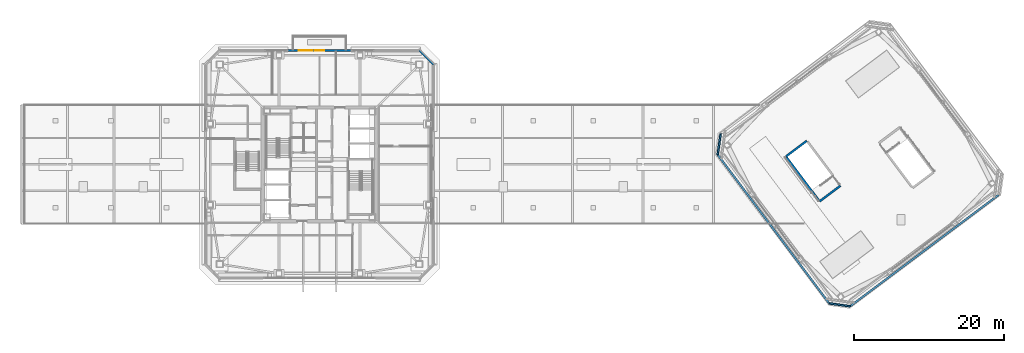
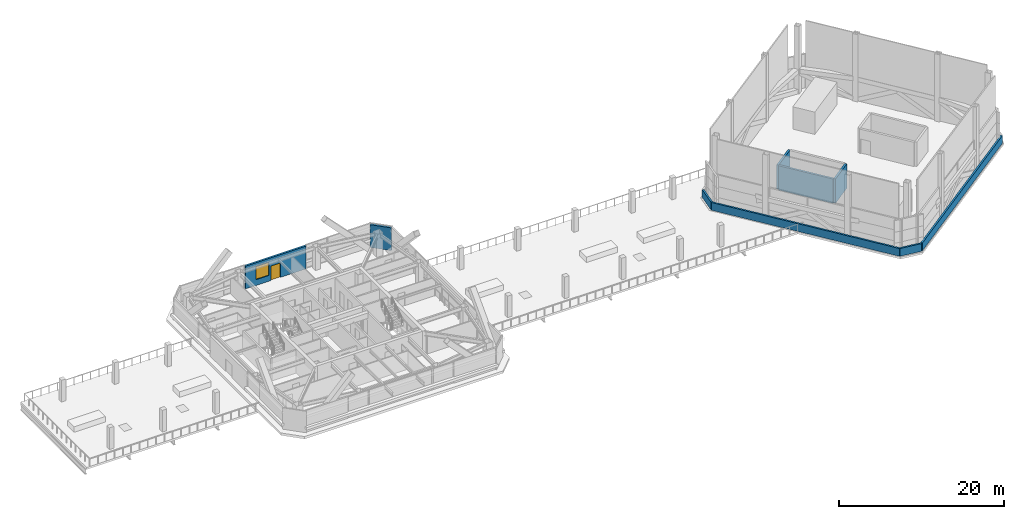
# One storey, part 29 of 37: 9 walls, 1 door, 1 window, 2 openings.
"""IFC4 building model written with IfcOpenShell, lengths in metres."""

from ifc_helpers import new_model, si_unit, direction, frame, frame_2d, origin, place, context, subcontext, project, spatial, rectangle, extrude, material, layer, layer_set, type_object, element, fill, save


model = new_model("IFC4")

# Units and contexts
model_context = context("Model", 3, precision=1e-05, world=origin(), true_north=direction((0.0, 1.0)))
body_context = subcontext(model_context, "Body", "Model", "MODEL_VIEW")
ifc_project = project(units=[si_unit("LENGTHUNIT", "METRE"), si_unit("AREAUNIT", "SQUARE_METRE"), si_unit("VOLUMEUNIT", "CUBIC_METRE"), si_unit("PLANEANGLEUNIT", "RADIAN"), si_unit("MASSUNIT", "GRAM", prefix="KILO")], contexts=[model_context])

# Site, building, storey
site_placement = place(None, origin())
site = spatial("IfcSite", under=ifc_project, at=site_placement, CompositionType="ELEMENT")
building_placement = place(site_placement, origin())
building = spatial("IfcBuilding", under=site, at=building_placement, Name="Tashvorn Skyway Center", CompositionType="ELEMENT")
storey_placement = place(building_placement, frame((0.0, 0.0, 263.39990234375)))
storey = spatial("IfcBuildingStorey", under=building, at=storey_placement, Name="L71", CompositionType="ELEMENT", Elevation=263.39990234375)

# Wall, openings, door, window
ifc_material_1 = material(Name="Precast concrete C40/50", Category="concrete")
ifc_layer_1 = layer(ifc_material_1, 0.280029296875)
ifc_layer_set_1 = layer_set([ifc_layer_1], Name="Precast concrete C40/50")
wall_type_1 = type_object("IfcWallType", Name="WALL-EXT-280", PredefinedType="SOLIDWALL", material=ifc_layer_set_1)
wall_1_placement = place(storey_placement, frame((37.75, 47.179931640625, 0.0), z_axis=(0.0, 0.0, 1.0), x_axis=(1.0, 0.0, 0.0)))
wall_1 = element("IfcWall", 1, at=wall_1_placement, inside=storey, type_object=wall_type_1, Name="Tower 1 L71 North Terrace Portal Wall", PredefinedType="SOLIDWALL", context=body_context, shape_type="SweptSolid", body=[
    extrude(rectangle(XDim=8.5, YDim=0.280029296875, at=frame_2d((4.25, 0.0))), origin(), (0.0, 0.0, 1.0), 3.3701171875),
])
opening_1_placement = place(wall_1_placement, frame((3.60009765625, 0.0, 0.0)))
opening_1 = element("IfcOpeningElement", 2, at=opening_1_placement, cuts=wall_1, Name="Opening D-TER-1300", PredefinedType="OPENING", context=body_context, shape_type="SweptSolid", body=[
    extrude(rectangle(XDim=1.300048828125, YDim=2.14990234375, at=frame_2d((0.64990234375, 1.074951171875))), frame((0.0, 0.14990234375, 0.0), z_axis=(0.0, -1.0, 0.0), x_axis=(1.0, 0.0, 0.0)), (0.0, 0.0, 1.0), 0.300048828125),
])
opening_2_placement = place(wall_1_placement, frame((1.4599609375, 0.0, 0.85009765625)))
opening_2 = element("IfcOpeningElement", 3, at=opening_2_placement, cuts=wall_1, Name="Opening WIN-1800", PredefinedType="OPENING", context=body_context, shape_type="SweptSolid", body=[
    extrude(rectangle(XDim=1.800048828125, YDim=1.919921875, at=frame_2d((0.89990234375, 0.9599609375))), frame((0.0, 0.14990234375, 0.0), z_axis=(0.0, -1.0, 0.0), x_axis=(1.0, 0.0, 0.0)), (0.0, 0.0, 1.0), 0.300048828125),
])
ifc_material_2 = material(Name="Thermally broken bronze-anodized aluminium 6063-T6", Category="aluminium")
door_type = type_object("IfcDoorType", Name="DOOR-TERR-1300", OperationType="NOTDEFINED", PredefinedType="DOOR", material=ifc_material_2)
door_placement = place(opening_1_placement, origin())
door = element("IfcDoor", 4, at=door_placement, inside=storey, type_object=door_type, Name="Tower 1 L71 Terrace Access Door", OperationType="SINGLE_SWING_LEFT", OverallHeight=2.14990234375, OverallWidth=1.300048828125, PredefinedType="DOOR", context=body_context, shape_type="SweptSolid", body=[
    extrude(rectangle(XDim=1.300048828125, YDim=2.14990234375, at=frame_2d((0.64990234375, 1.074951171875))), frame((0.0, 0.02490234375, 0.0), z_axis=(0.0, -1.0, 0.0), x_axis=(1.0, 0.0, 0.0)), (0.0, 0.0, 1.0), 0.050048828125),
])
fill(opening_1, door)
ifc_material_3 = material(Name="Low-E solar-control double insulating safety glass", Category="glass")
window_type = type_object("IfcWindowType", Name="WIN-TERR-1800", PartitioningType="SINGLE_PANEL", PredefinedType="WINDOW", material=ifc_material_3)
window_placement = place(opening_2_placement, origin())
window = element("IfcWindow", 5, at=window_placement, inside=storey, type_object=window_type, Name="Tower 1 L71 Terrace Window", OverallHeight=1.919921875, OverallWidth=1.800048828125, PartitioningType="SINGLE_PANEL", PredefinedType="WINDOW", context=body_context, shape_type="SweptSolid", body=[
    extrude(rectangle(XDim=1.800048828125, YDim=1.919921875, at=frame_2d((0.89990234375, 0.9599609375))), frame((0.0, 0.030029296875, 0.0), z_axis=(0.0, -1.0, 0.0), x_axis=(1.0, 0.0, 0.0)), (0.0, 0.0, 1.0), 0.06005859375),
])
fill(opening_2, window)

# Walls
wall_2_placement = place(storey_placement, frame((55.300048828125, 47.199951171875, 0.0), z_axis=(0.0, 0.0, 1.0), x_axis=(0.707106781187, -0.707106781187, 0.0)))
element("IfcWall", 6, at=wall_2_placement, inside=storey, type_object=wall_type_1, Name="Tower 1 L71 NE Precast Chamfer Wall", PredefinedType="SOLIDWALL", context=body_context, shape_type="SweptSolid", body=[
    extrude(rectangle(XDim=2.686767578125, YDim=0.280029296875, at=frame_2d((1.34326171875, 0.0))), origin(), (0.0, 0.0, 1.0), 3.3701171875),
])
ifc_layer_2 = layer(ifc_material_1, 0.239990234375)
ifc_layer_set_2 = layer_set([ifc_layer_2], Name="Precast concrete C40/50")
wall_type_2 = type_object("IfcWallType", Name="WALL-PARA-240", PredefinedType="PARAPET", material=ifc_layer_set_2)
wall_3_placement = place(storey_placement, frame((132.531982421875, 27.924072265625, 0.0), z_axis=(0.0, 0.0, 1.0), x_axis=(-0.799998816758, -0.600001577653, 0.0)))
element("IfcWall", 7, at=wall_3_placement, inside=storey, type_object=wall_type_2, Name="Tower 2 Main Roof Perimeter Parapet 01", PredefinedType="PARAPET", context=body_context, shape_type="SweptSolid", body=[
    extrude(rectangle(XDim=24.759765625, YDim=0.239990234375, at=frame_2d((12.3798828125, 0.0))), origin(), (0.0, 0.0, 1.0), 1.150146484375),
])
wall_4_placement = place(storey_placement, frame((95.068115234375, 33.27587890625, 0.0), z_axis=(0.0, 0.0, 1.0), x_axis=(0.141385103552, 0.989954671939, 0.0)))
element("IfcWall", 8, at=wall_4_placement, inside=storey, type_object=wall_type_2, Name="Tower 2 Main Roof Perimeter Parapet 06", PredefinedType="PARAPET", context=body_context, shape_type="SweptSolid", body=[
    extrude(rectangle(XDim=2.828369140625, YDim=0.239990234375, at=frame_2d((1.4140625, 0.0))), origin(), (0.0, 0.0, 1.0), 1.150146484375),
])
wall_5_placement = place(storey_placement, frame((109.924072265625, 13.468017578125, 0.0), z_axis=(0.0, 0.0, 1.0), x_axis=(-0.600001577653, 0.799998816758, 0.0)))
element("IfcWall", 9, at=wall_5_placement, inside=storey, type_object=wall_type_2, Name="Tower 2 Main Roof Perimeter Parapet 07", PredefinedType="PARAPET", context=body_context, shape_type="SweptSolid", body=[
    extrude(rectangle(XDim=24.759765625, YDim=0.239990234375, at=frame_2d((12.3798828125, 0.0))), origin(), (0.0, 0.0, 1.0), 1.150146484375),
])
wall_6_placement = place(storey_placement, frame((112.72412109375, 13.068115234375, 0.0), z_axis=(0.0, 0.0, 1.0), x_axis=(-0.989954671939, 0.141385103552, 0.0)))
element("IfcWall", 10, at=wall_6_placement, inside=storey, type_object=wall_type_2, Name="Tower 2 Main Roof Perimeter Parapet 08", PredefinedType="PARAPET", context=body_context, shape_type="SweptSolid", body=[
    extrude(rectangle(XDim=2.828369140625, YDim=0.239990234375, at=frame_2d((1.4140625, 0.0))), origin(), (0.0, 0.0, 1.0), 1.150146484375),
])
ifc_layer_3 = layer(ifc_material_1, 0.280029296875)
ifc_layer_set_3 = layer_set([ifc_layer_3], Name="Precast concrete C40/50")
wall_type_3 = type_object("IfcWallType", Name="WALL-PH-280", PredefinedType="SOLIDWALL", material=ifc_layer_set_3)
for number, where, z_axis, x_axis, name in (
    (11, (111.43603515625, 29.152099609375, 0.0), (0.0, 0.0, 1.0), (-0.799974743577, -0.600033673754, 0.0), "Tower 2 Stair 1 Penthouse South Wall"),
    (12, (104.1640625, 33.048095703125, 0.0), (0.0, 0.0, 1.0), (0.800008418847, 0.599988774707, 0.0), "Tower 2 Stair 1 Penthouse North Wall"),
):
    element("IfcWall", number, at=place(storey_placement, frame(where, z_axis=z_axis, x_axis=x_axis)), inside=storey, type_object=wall_type_3, Name=name, PredefinedType="SOLIDWALL", context=body_context, shape_type="SweptSolid", body=[
        extrude(rectangle(XDim=3.47998046875, YDim=0.280029296875, at=frame_2d((1.739990234375, 0.0))), origin(), (0.0, 0.0, 1.0), 3.60009765625),
    ])
wall_7_placement = place(storey_placement, frame((108.568115234375, 27.176025390625, 0.0), z_axis=(0.0, 0.0, 1.0), x_axis=(-0.600005425297, 0.799995930999, 0.0)))
element("IfcWall", 13, at=wall_7_placement, inside=storey, type_object=wall_type_3, Name="Tower 2 Stair 1 Penthouse West Wall", PredefinedType="SOLIDWALL", context=body_context, shape_type="SweptSolid", body=[
    extrude(rectangle(XDim=7.199951171875, YDim=0.280029296875, at=frame_2d((3.60009765625, 0.0))), origin(), (0.0, 0.0, 1.0), 3.60009765625),
])

save(model, "model.ifc")
